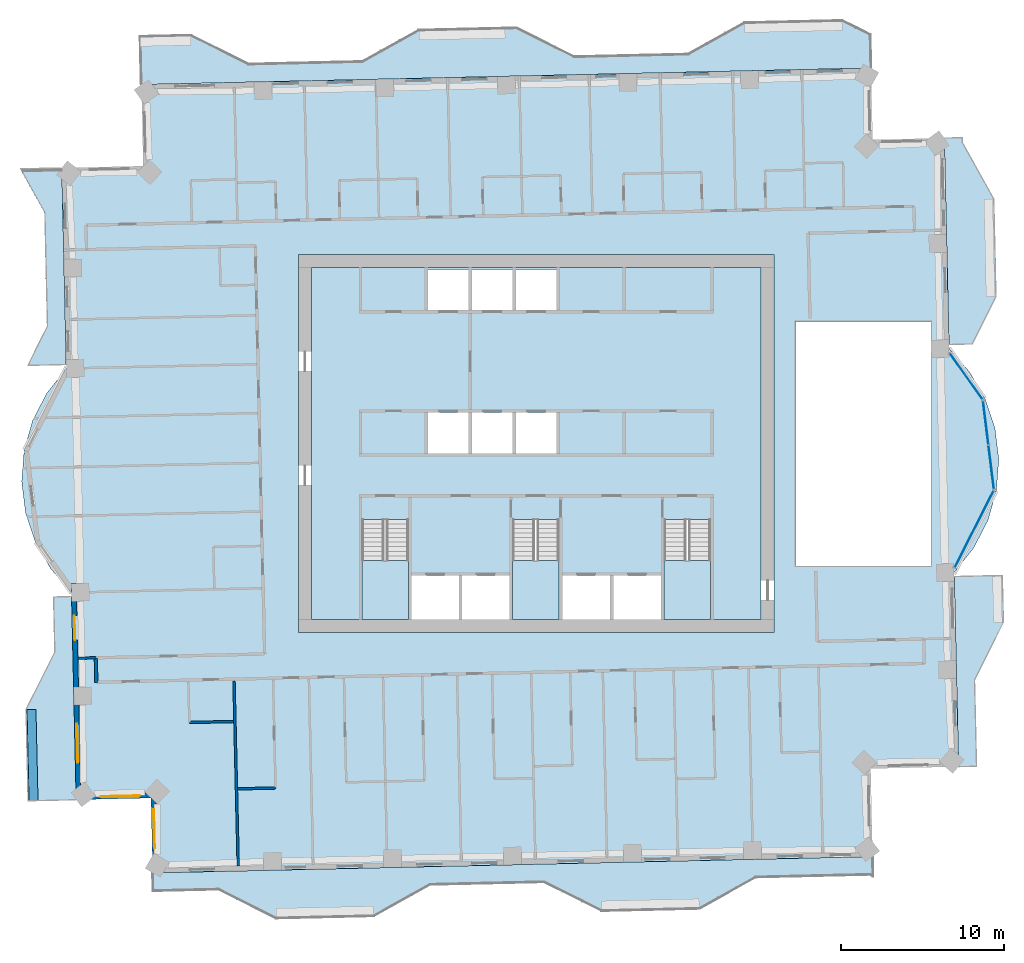
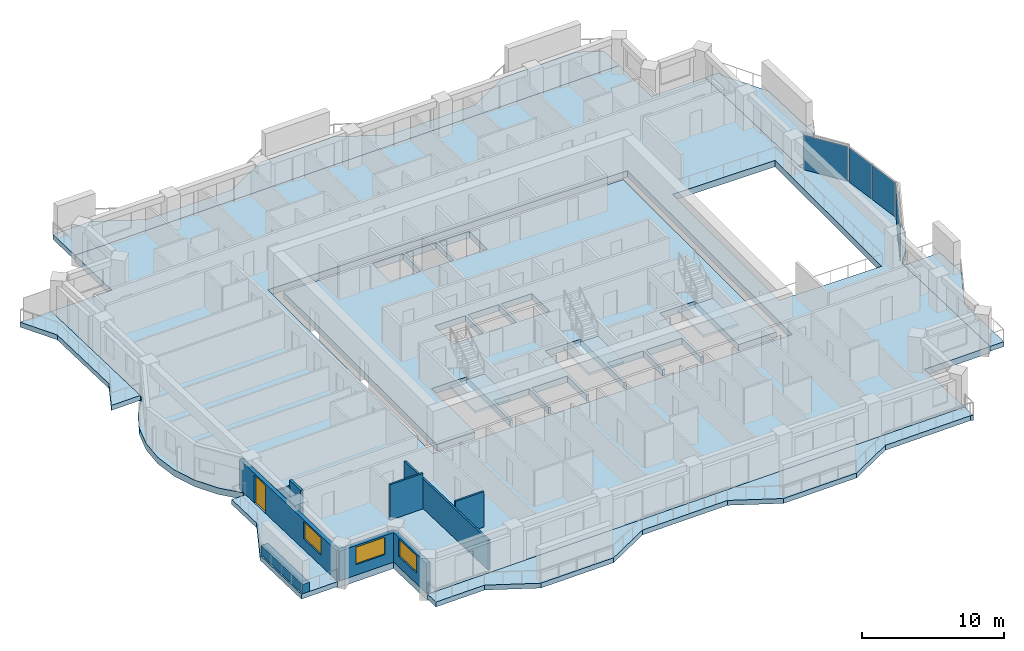
# One storey, part 5 of 16: 11 slabs, 9 walls, 4 plates, 3 windows, 1 door, 4 openings, 6 elements without a shape of their own.
"""IFC4 building model written with IfcOpenShell, lengths in metres."""

from ifc_helpers import new_model, si_unit, direction, frame, frame_2d, origin, origin_2d, place, context, subcontext, project, spatial, polyline, rectangle, outline, extrude, material, layer, layer_set, type_object, element, fill, aggregate, save


model = new_model("IFC4")

# Units and contexts
model_context = context("Model", 3, precision=1e-05, world=origin(), true_north=direction((0.0, 1.0)))
body_context = subcontext(model_context, "Body", "Model", "MODEL_VIEW")
ifc_project = project(units=[si_unit("LENGTHUNIT", "METRE"), si_unit("AREAUNIT", "SQUARE_METRE"), si_unit("VOLUMEUNIT", "CUBIC_METRE"), si_unit("PLANEANGLEUNIT", "RADIAN"), si_unit("MASSUNIT", "GRAM", prefix="KILO")], contexts=[model_context])

# Site, building, storey
site_placement = place(None, origin())
site = spatial("IfcSite", under=ifc_project, at=site_placement, CompositionType="ELEMENT")
building_placement = place(site_placement, origin())
building = spatial("IfcBuilding", under=site, at=building_placement, Name="Mangrove Gate Tower", CompositionType="ELEMENT")
storey_placement = place(building_placement, frame((0.0, 0.0, 231.10009765625)))
storey = spatial("IfcBuildingStorey", under=building, at=storey_placement, Name="L58", CompositionType="ELEMENT", Elevation=231.10009765625)

# Curtain wall, plate
ifc_material_1 = material(Name="Aluminium and glass curtain wall", Category="aluminium")
curtain_wall_type = type_object("IfcCurtainWallType", Name="Atrium garden-court glazing wall", PredefinedType="NOTDEFINED", material=ifc_material_1)
curtain_wall_1_placement = place(storey_placement, origin())
curtain_wall_1 = element("IfcCurtainWall", 1, at=curtain_wall_1_placement, inside=storey, type_object=curtain_wall_type, Name="Atrium garden-court glazing E1f1", PredefinedType="NOTDEFINED")
ifc_material_2 = material(Name="Laminated low-e glass", Category="glass")
ifc_layer_1 = layer(ifc_material_2, 0.031982421875)
ifc_layer_set_1 = layer_set([ifc_layer_1], Name="Atrium garden-court glazing panel 32")
plate_type = type_object("IfcPlateType", Name="Atrium garden-court glazing panel 32", PredefinedType="CURTAIN_PANEL", material=ifc_layer_set_1)
plate_1_placement = place(storey_placement, frame((26.87890625, -5.256591796875, 0.0), z_axis=(0.0, 0.0, 1.0), x_axis=(0.452597795636, 0.891714772439, 0.0)))
plate_1 = element("IfcPlate", 2, at=plate_1_placement, type_object=plate_type, Name="CWA panel 1.1", PredefinedType="CURTAIN_PANEL", context=body_context, shape_type="SweptSolid", body=[
    extrude(rectangle(XDim=5.258056640625, YDim=0.031982421875, at=origin_2d()), origin(), (0.0, 0.0, 1.0), 2.97998046875),
])
aggregate(curtain_wall_1, [plate_1])

# Curtain wall, plates
curtain_wall_2_placement = place(storey_placement, origin())
curtain_wall_2 = element("IfcCurtainWall", 3, at=curtain_wall_2_placement, inside=storey, type_object=curtain_wall_type, Name="Atrium garden-court glazing E1f2", PredefinedType="NOTDEFINED")
plate_2_placement = place(storey_placement, frame((27.92822265625, -1.449462890625, 0.0), z_axis=(0.0, 0.0, 1.0), x_axis=(-0.122172285885, 0.992508908051, 0.0)))
plate_2 = element("IfcPlate", 4, at=plate_2_placement, type_object=plate_type, Name="CWA panel 1.1", PredefinedType="CURTAIN_PANEL", context=body_context, shape_type="SweptSolid", body=[
    extrude(rectangle(XDim=2.681640625, YDim=0.031982421875, at=origin_2d()), origin(), (0.0, 0.0, 1.0), 2.97998046875),
])
plate_3_placement = place(storey_placement, frame((27.592041015625, 1.281494140625, 0.0), z_axis=(0.0, 0.0, 1.0), x_axis=(-0.122172285885, 0.992508908051, 0.0)))
plate_3 = element("IfcPlate", 5, at=plate_3_placement, type_object=plate_type, Name="CWA panel 2.1", PredefinedType="CURTAIN_PANEL", context=body_context, shape_type="SweptSolid", body=[
    extrude(rectangle(XDim=2.681640625, YDim=0.031982421875, at=origin_2d()), origin(), (0.0, 0.0, 1.0), 2.97998046875),
])
aggregate(curtain_wall_2, [plate_2, plate_3])

# Curtain wall, plate
curtain_wall_3_placement = place(storey_placement, origin())
curtain_wall_3 = element("IfcCurtainWall", 6, at=curtain_wall_3_placement, inside=storey, type_object=curtain_wall_type, Name="Atrium garden-court glazing E1f3", PredefinedType="NOTDEFINED")
plate_4_placement = place(storey_placement, frame((26.38818359375, 4.1376953125, 0.0), z_axis=(0.0, 0.0, 1.0), x_axis=(-0.578120908245, 0.815951110944, 0.0)))
plate_4 = element("IfcPlate", 7, at=plate_4_placement, type_object=plate_type, Name="CWA panel 1.1", PredefinedType="CURTAIN_PANEL", context=body_context, shape_type="SweptSolid", body=[
    extrude(rectangle(XDim=3.4287109375, YDim=0.031982421875, at=origin_2d()), origin(), (0.0, 0.0, 1.0), 2.97998046875),
])
aggregate(curtain_wall_3, [plate_4])

# Slabs
ifc_material_3 = material(Name="Porcelain tile")
ifc_layer_2 = layer(ifc_material_3, 0.02001953125, Name="Tile finish")
ifc_material_4 = material(Name="Cement sand screed")
ifc_layer_3 = layer(ifc_material_4, 0.0400390625, Name="Screed laid to falls")
ifc_material_5 = material(Name="Bituminous waterproofing membrane")
ifc_layer_4 = layer(ifc_material_5, 0.00390625, Name="Waterproofing")
ifc_material_6 = material(Name="Concrete C40/50", Category="concrete")
ifc_layer_5 = layer(ifc_material_6, 0.340087890625, Name="Balcony structural slab")
ifc_material_7 = material(Name="Limestone", Category="masonry")
ifc_layer_6 = layer(ifc_material_7, 0.01611328125, Name="Soffit lining")
ifc_layer_set_2 = layer_set([ifc_layer_2, ifc_layer_3, ifc_layer_4, ifc_layer_5, ifc_layer_6], Name="Balcony slab 420 C40/50")
slab_type_1 = type_object("IfcSlabType", Name="Balcony slab 420 C40/50", PredefinedType="FLOOR", material=ifc_layer_set_2)
slab_1_placement = place(storey_placement, frame((0.0, 0.0, -0.420166015625)))
element("IfcSlab", 8, at=slab_1_placement, inside=storey, type_object=slab_type_1, Name="BALCONY L58 E0", PredefinedType="FLOOR", context=body_context, shape_type="SweptSolid", body=[
    extrude(outline(polyline([(27.06298828125, -19.803955078125), (26.943115234375, -14.506103515625), (28.712890625, -10.965087890625), (28.64794921875, -8.091064453125), (25.658935546875, -8.158935546875), (25.72412109375, -11.032958984375), (25.802978515625, -14.531982421875), (25.924072265625, -19.830078125), (27.06298828125, -19.803955078125)])), origin(), (0.0, 0.0, 1.0), 0.420166015625),
])
slab_2_placement = place(storey_placement, frame((0.0, 0.0, -0.420166015625)))
element("IfcSlab", 9, at=slab_2_placement, inside=storey, type_object=slab_type_1, Name="BALCONY L58 E1", PredefinedType="FLOOR", context=body_context, shape_type="SweptSolid", body=[
    extrude(outline(polyline([(26.805908203125, 6.1220703125), (28.259033203125, 9.030029296875), (28.123046875, 15.029052734375), (26.194091796875, 18.486083984375), (26.18798828125, 18.785888671875), (25.048095703125, 18.760009765625), (25.054931640625, 18.4599609375), (25.134033203125, 14.9609375), (25.27001953125, 8.9619140625), (25.3349609375, 6.087890625), (26.805908203125, 6.1220703125)])), origin(), (0.0, 0.0, 1.0), 0.420166015625),
])
slab_3_placement = place(storey_placement, frame((0.0, 0.0, -0.420166015625)))
element("IfcSlab", 10, at=slab_3_placement, inside=storey, type_object=slab_type_1, Name="BALCONY L58 N0", PredefinedType="FLOOR", context=body_context, shape_type="SweptSolid", body=[
    extrude(outline(polyline([(20.501953125, 25.14794921875), (18.778076171875, 26.009033203125), (12.779052734375, 25.873046875), (9.322021484375, 23.944091796875), (2.323974609375, 23.785888671875), (-1.217041015625, 25.555908203125), (-7.216064453125, 25.419921875), (-10.673095703125, 23.490966796875), (-17.6708984375, 23.3330078125), (-21.2119140625, 25.10205078125), (-24.31494140625, 25.031982421875), (-24.2470703125, 22.0419921875), (-7.14794921875, 22.429931640625), (-1.84912109375, 22.551025390625), (-1.14892578125, 22.56591796875), (20.549072265625, 23.05908203125), (20.501953125, 25.14794921875)])), origin(), (0.0, 0.0, 1.0), 0.420166015625),
])
slab_4_placement = place(storey_placement, frame((0.0, 0.0, -0.420166015625)))
element("IfcSlab", 11, at=slab_4_placement, inside=storey, type_object=slab_type_1, Name="BALCONY L58 W0", PredefinedType="FLOOR", context=body_context, shape_type="SweptSolid", body=[
    extrude(outline(polyline([(-31.698974609375, 16.8720703125), (-30.2109375, 14.205078125), (-30.052001953125, 7.20703125), (-31.2529296875, 4.803955078125), (-28.85888671875, 4.85888671875), (-28.9130859375, 7.23291015625), (-29.071044921875, 14.23095703125), (-29.133056640625, 16.929931640625), (-31.698974609375, 16.8720703125)])), origin(), (0.0, 0.0, 1.0), 0.420166015625),
])
slab_5_placement = place(storey_placement, frame((0.0, 0.0, -0.420166015625)))
element("IfcSlab", 12, at=slab_5_placement, inside=storey, type_object=slab_type_1, Name="BALCONY L58 W1", PredefinedType="FLOOR", context=body_context, shape_type="SweptSolid", body=[
    extrude(outline(polyline([(-29.675048828125, -9.4140625), (-29.59912109375, -12.7880859375), (-31.368896484375, -16.3291015625), (-31.241943359375, -21.927978515625), (-28.251953125, -21.860107421875), (-28.37890625, -16.260986328125), (-28.458984375, -12.761962890625), (-28.534912109375, -9.387939453125), (-29.675048828125, -9.4140625)])), origin(), (0.0, 0.0, 1.0), 0.420166015625),
])
slab_6_placement = place(storey_placement, frame((0.0, 0.0, -0.420166015625)))
element("IfcSlab", 13, at=slab_6_placement, inside=storey, type_object=slab_type_1, Name="BALCONY L58 S0", PredefinedType="FLOOR", context=body_context, shape_type="SweptSolid", body=[
    extrude(outline(polyline([(-23.52294921875, -27.493896484375), (-19.52001953125, -27.403076171875), (-15.97900390625, -29.173095703125), (-9.98095703125, -29.037109375), (-6.52392578125, -27.10791015625), (-1.425048828125, -26.992919921875), (0.47509765625, -26.949951171875), (4.01611328125, -28.719970703125), (10.013916015625, -28.5830078125), (13.470947265625, -26.655029296875), (20.468994140625, -26.4970703125), (20.676025390625, -26.59912109375), (20.64697265625, -25.35107421875), (-6.550048828125, -25.968994140625), (-23.549072265625, -26.35400390625), (-23.52294921875, -27.493896484375)])), origin(), (0.0, 0.0, 1.0), 0.420166015625),
])
ifc_material_8 = material(Name="Concrete C40/50", Category="concrete")
ifc_layer_7 = layer(ifc_material_8, 0.550048828125)
ifc_layer_set_3 = layer_set([ifc_layer_7], Name="Core floor slab 550 C40/50")
slab_type_2 = type_object("IfcSlabType", Name="Core floor slab 550 C40/50", PredefinedType="FLOOR", material=ifc_layer_set_3)
slab_7_placement = place(storey_placement, frame((0.0, 0.0, -0.550048828125)))
element("IfcSlab", 14, at=slab_7_placement, inside=storey, type_object=slab_type_2, Name="SLAB-L58-CORE-1", PredefinedType="FLOOR", context=body_context, shape_type="SweptSolid", body=[
    extrude(outline(polyline([(-13.800048828125, -10.800048828125), (-13.800048828125, 10.800048828125), (13.800048828125, 10.800048828125), (13.800048828125, -10.800048828125), (10.699951171875, -10.800048828125), (10.699951171875, -4.653076171875), (7.85009765625, -4.653076171875), (7.85009765625, -10.800048828125), (7.64990234375, -10.800048828125), (7.64990234375, -8.10009765625), (4.72509765625, -8.10009765625), (4.72509765625, -10.800048828125), (4.52490234375, -10.800048828125), (4.52490234375, -8.10009765625), (1.60009765625, -8.10009765625), (1.60009765625, -10.800048828125), (1.39990234375, -10.800048828125), (1.39990234375, -4.653076171875), (-1.449951171875, -4.653076171875), (-1.449951171875, -10.800048828125), (-1.64990234375, -10.800048828125), (-1.64990234375, -8.10009765625), (-4.550048828125, -8.10009765625), (-4.550048828125, -10.800048828125), (-4.75, -10.800048828125), (-4.75, -8.10009765625), (-7.64990234375, -8.10009765625), (-7.64990234375, -10.800048828125), (-7.85009765625, -10.800048828125), (-7.85009765625, -4.653076171875), (-10.699951171875, -4.653076171875), (-10.699951171875, -10.800048828125), (-13.800048828125, -10.800048828125)]), holes=[polyline([(-4.14990234375, 1.89990234375), (-6.64990234375, 1.89990234375), (-6.64990234375, -0.60009765625), (-4.14990234375, -0.60009765625), (-4.14990234375, 1.89990234375)]), polyline([(-1.449951171875, -0.60009765625), (-1.449951171875, 1.89990234375), (-3.949951171875, 1.89990234375), (-3.949951171875, -0.60009765625), (-1.449951171875, -0.60009765625)]), polyline([(-4.14990234375, 8.199951171875), (-4.14990234375, 10.699951171875), (-6.64990234375, 10.699951171875), (-6.64990234375, 8.199951171875), (-4.14990234375, 8.199951171875)]), polyline([(-1.449951171875, 10.699951171875), (-3.949951171875, 10.699951171875), (-3.949951171875, 8.199951171875), (-1.449951171875, 8.199951171875), (-1.449951171875, 10.699951171875)]), polyline([(1.25, -0.60009765625), (1.25, 1.89990234375), (-1.25, 1.89990234375), (-1.25, -0.60009765625), (1.25, -0.60009765625)]), polyline([(1.25, 8.199951171875), (1.25, 10.699951171875), (-1.25, 10.699951171875), (-1.25, 8.199951171875), (1.25, 8.199951171875)])]), origin(), (0.0, 0.0, 1.0), 0.550048828125),
])

# Stair, slab
ifc_material_9 = material(Name="Concrete C40/50", Category="concrete")
stair_type = type_object("IfcStairType", Name="Core stair 1350", PredefinedType="HALF_TURN_STAIR", material=ifc_material_9)
stair_1_placement = place(storey_placement, origin())
stair_1 = element("IfcStair", 15, at=stair_1_placement, inside=storey, type_object=stair_type, Name="L58 Stair 1", PredefinedType="HALF_TURN_STAIR")
ifc_material_10 = material(Name="Concrete C40/50", Category="concrete")
ifc_layer_8 = layer(ifc_material_10, 0.199951171875)
ifc_layer_set_4 = layer_set([ifc_layer_8], Name="Core stair landing 200")
slab_type_3 = type_object("IfcSlabType", Name="Core stair landing 200", PredefinedType="LANDING", material=ifc_layer_set_4)
slab_8_placement = place(storey_placement, frame((0.0, 0.0, 1.599853515625)))
slab_8 = element("IfcSlab", 16, at=slab_8_placement, type_object=slab_type_3, Name="ST1 landing 1", PredefinedType="LANDING", context=body_context, shape_type="SweptSolid", body=[
    extrude(outline(polyline([(-10.699951171875, -7.169921875), (-10.699951171875, -10.800048828125), (-7.85009765625, -10.800048828125), (-7.85009765625, -7.169921875), (-10.699951171875, -7.169921875)])), origin(), (0.0, 0.0, 1.0), 0.199951171875),
])
aggregate(stair_1, [slab_8])

stair_2_placement = place(storey_placement, origin())
stair_2 = element("IfcStair", 17, at=stair_2_placement, inside=storey, type_object=stair_type, Name="L58 Stair 2", PredefinedType="HALF_TURN_STAIR")
slab_9_placement = place(storey_placement, frame((0.0, 0.0, 1.599853515625)))
slab_9 = element("IfcSlab", 18, at=slab_9_placement, type_object=slab_type_3, Name="ST2 landing 1", PredefinedType="LANDING", context=body_context, shape_type="SweptSolid", body=[
    extrude(outline(polyline([(-1.449951171875, -7.169921875), (-1.449951171875, -10.800048828125), (1.39990234375, -10.800048828125), (1.39990234375, -7.169921875), (-1.449951171875, -7.169921875)])), origin(), (0.0, 0.0, 1.0), 0.199951171875),
])
aggregate(stair_2, [slab_9])

stair_3_placement = place(storey_placement, origin())
stair_3 = element("IfcStair", 19, at=stair_3_placement, inside=storey, type_object=stair_type, Name="L58 Stair 3", PredefinedType="HALF_TURN_STAIR")
slab_10_placement = place(storey_placement, frame((0.0, 0.0, 1.599853515625)))
slab_10 = element("IfcSlab", 20, at=slab_10_placement, type_object=slab_type_3, Name="ST3 landing 1", PredefinedType="LANDING", context=body_context, shape_type="SweptSolid", body=[
    extrude(outline(polyline([(7.85009765625, -7.169921875), (7.85009765625, -10.800048828125), (10.699951171875, -10.800048828125), (10.699951171875, -7.169921875), (7.85009765625, -7.169921875)])), origin(), (0.0, 0.0, 1.0), 0.199951171875),
])
aggregate(stair_3, [slab_10])

# Slab
ifc_material_11 = material(Name="Concrete C40/50", Category="concrete")
ifc_layer_9 = layer(ifc_material_11, 0.550048828125)
ifc_layer_set_5 = layer_set([ifc_layer_9], Name="Floor slab 550 C40/50")
slab_type_4 = type_object("IfcSlabType", Name="Floor slab 550 C40/50", PredefinedType="FLOOR", material=ifc_layer_set_5)
slab_11_placement = place(storey_placement, frame((0.0, 0.0, -0.550048828125)))
element("IfcSlab", 21, at=slab_11_placement, inside=storey, type_object=slab_type_4, Name="Floor slab L58", PredefinedType="FLOOR", context=body_context, shape_type="SweptSolid", body=[
    extrude(outline(polyline([(-23.549072265625, -26.354248046875), (20.6474609375, -25.351318359375), (20.52490234375, -19.95263671875), (25.923583984375, -19.830322265625), (25.653076171875, -7.90869140625), (26.849609375, -6.416259765625), (27.7265625, -4.71630859375), (28.2490234375, -2.87646484375), (28.396240234375, -0.96923828125), (28.16259765625, 0.92919921875), (27.55712890625, 2.74365234375), (26.60400390625, 4.40185546875), (25.341064453125, 5.83837890625), (25.0478515625, 18.759765625), (20.64892578125, 18.659912109375), (20.549072265625, 23.058837890625), (-24.247314453125, 22.042236328125), (-24.1337890625, 17.04345703125), (-29.132568359375, 16.93017578125), (-28.85302734375, 4.608642578125), (-30.049560546875, 3.1162109375), (-30.926513671875, 1.41650390625), (-31.448974609375, -0.423583984375), (-31.59619140625, -2.330810546875), (-31.362548828125, -4.229248046875), (-30.757080078125, -6.043701171875), (-29.803955078125, -7.701904296875), (-28.541015625, -9.138427734375), (-28.25244140625, -21.85986328125), (-23.653564453125, -21.755615234375), (-23.549072265625, -26.354248046875)]), holes=[polyline([(15.89990234375, 7.5), (24.22705078125, 7.5), (24.22705078125, -7.5), (15.89990234375, -7.5), (15.89990234375, 7.5)]), polyline([(-14.60009765625, -11.60009765625), (-14.60009765625, 11.60009765625), (14.60009765625, 11.60009765625), (14.60009765625, -11.60009765625), (-14.60009765625, -11.60009765625)])]), origin(), (0.0, 0.0, 1.0), 0.550048828125),
])

# Wall
ifc_material_12 = material(Name="Gypsum board on steel stud, EI 60", Category="steel")
ifc_layer_10 = layer(ifc_material_12, 0.199951171875)
ifc_layer_set_6 = layer_set([ifc_layer_10], Name="Corridor wall EI 60")
wall_type_1 = type_object("IfcWallType", Name="Corridor wall EI 60", PredefinedType="PARTITIONING", material=ifc_layer_set_6)
wall_1_placement = place(storey_placement, frame((-27.011962890625, -14.654052734375, 0.0), z_axis=(0.0, 0.0, 1.0), x_axis=(-0.022617910375, 0.999744182344, 0.0)))
element("IfcWall", 22, at=wall_1_placement, inside=storey, type_object=wall_type_1, Name="WALL-L58-027", PredefinedType="PARTITIONING", context=body_context, shape_type="SweptSolid", body=[
    extrude(rectangle(XDim=1.50048828125, YDim=0.199951171875, at=frame_2d((0.750244140625, 0.0))), origin(), (0.0, 0.0, 1.0), 3.0498046875),
])

# Wall, openings, door, window
ifc_layer_11 = layer(ifc_material_7, 0.0400390625, Name="Limestone cladding")
ifc_material_13 = material(Name="Ventilated air gap")
ifc_layer_12 = layer(ifc_material_13, 0.0400390625, Name="Ventilated cavity")
ifc_material_14 = material(Name="Mineral wool insulation")
ifc_layer_13 = layer(ifc_material_14, 0.06005859375, Name="Insulation")
ifc_material_15 = material(Name="Breather membrane")
ifc_layer_14 = layer(ifc_material_15, 0.001953125, Name="Breather membrane")
ifc_material_16 = material(Name="Concrete C20/25 blockwork", Category="masonry")
ifc_layer_15 = layer(ifc_material_16, 0.14990234375, Name="Blockwork backing wall")
ifc_material_17 = material(Name="Gypsum plaster")
ifc_layer_16 = layer(ifc_material_17, 0.008056640625, Name="Internal plaster")
ifc_layer_set_7 = layer_set([ifc_layer_11, ifc_layer_12, ifc_layer_13, ifc_layer_14, ifc_layer_15, ifc_layer_16], Name="External wall 300 limestone cladding")
wall_type_2 = type_object("IfcWallType", Name="External wall 300 limestone cladding", PredefinedType="SOLIDWALL", material=ifc_layer_set_7)
wall_2_placement = place(storey_placement, frame((-28.404052734375, -8.5849609375, 0.0), z_axis=(0.0, 0.0, 1.0), x_axis=(0.022711264838, -0.99974206596, 0.0)))
wall_2 = element("IfcWall", 23, at=wall_2_placement, inside=storey, type_object=wall_type_2, Name="WALL-L58-W10s1", PredefinedType="SOLIDWALL", context=body_context, shape_type="SweptSolid", body=[
    extrude(rectangle(XDim=13.12548828125, YDim=0.300048828125, at=frame_2d((6.562744140625, 0.0))), origin(), (0.0, 0.0, 1.0), 2.5498046875),
])
opening_1_placement = place(wall_2_placement, frame((1.97509765625, 0.0, 0.0)))
opening_1 = element("IfcOpeningElement", 24, at=opening_1_placement, cuts=wall_2, Name="Opening BD1", PredefinedType="OPENING", context=body_context, shape_type="SweptSolid", body=[
    extrude(rectangle(XDim=1.5, YDim=2.39990234375, at=frame_2d((0.75, 1.199951171875))), frame((0.0, 0.159912109375, 0.0), z_axis=(0.0, -1.0, 0.0), x_axis=(1.0, 0.0, 0.0)), (0.0, 0.0, 1.0), 0.320068359375),
])
opening_2_placement = place(wall_2_placement, frame((8.6240234375, 0.0, 0.89990234375)))
opening_2 = element("IfcOpeningElement", 25, at=opening_2_placement, cuts=wall_2, Name="Opening W2", PredefinedType="OPENING", context=body_context, shape_type="SweptSolid", body=[
    extrude(rectangle(XDim=2.39990234375, YDim=1.5, at=frame_2d((1.199951171875, 0.75))), frame((0.0, 0.159912109375, 0.0), z_axis=(0.0, -1.0, 0.0), x_axis=(1.0, 0.0, 0.0)), (0.0, 0.0, 1.0), 0.320068359375),
])
ifc_material_18 = material(Name="Aluminium frame with laminated clear glass", Category="aluminium")
door_type = type_object("IfcDoorType", Name="Balcony sliding door 1500x2400", OperationType="SLIDING_TO_LEFT", PredefinedType="DOOR", material=ifc_material_18)
door_placement = place(opening_1_placement, origin())
door = element("IfcDoor", 26, at=door_placement, inside=storey, type_object=door_type, Name="DOOR-L58-W10-1", OperationType="SLIDING_TO_LEFT", OverallHeight=2.39990234375, OverallWidth=1.5, PredefinedType="DOOR", context=body_context, shape_type="SweptSolid", body=[
    extrude(rectangle(XDim=1.5, YDim=2.39990234375, at=frame_2d((0.75, 1.199951171875))), frame((0.0, 0.02490234375, 0.0), z_axis=(0.0, -1.0, 0.0), x_axis=(1.0, 0.0, 0.0)), (0.0, 0.0, 1.0), 0.050048828125),
])
fill(opening_1, door)
ifc_material_19 = material(Name="Aluminium frame with double-glazed low-e glass", Category="aluminium")
window_type = type_object("IfcWindowType", Name="Corner room window 2400x1500", PartitioningType="DOUBLE_PANEL_VERTICAL", PredefinedType="WINDOW", material=ifc_material_19)
window_1_placement = place(opening_2_placement, origin())
window_1 = element("IfcWindow", 27, at=window_1_placement, inside=storey, type_object=window_type, Name="WIN-L58-W10-2", OverallHeight=1.5, OverallWidth=2.39990234375, PartitioningType="DOUBLE_PANEL_VERTICAL", PredefinedType="WINDOW", context=body_context, shape_type="SweptSolid", body=[
    extrude(rectangle(XDim=2.39990234375, YDim=1.5, at=frame_2d((1.199951171875, 0.75))), frame((0.0, 0.030029296875, 0.0), z_axis=(0.0, -1.0, 0.0), x_axis=(1.0, 0.0, 0.0)), (0.0, 0.0, 1.0), 0.06005859375),
])
fill(opening_2, window_1)

# Wall, opening, window
wall_3_placement = place(storey_placement, frame((-28.10595703125, -21.70703125, 0.0), z_axis=(0.0, 0.0, 1.0), x_axis=(0.999739556364, 0.022821468877, 0.0)))
wall_3 = element("IfcWall", 28, at=wall_3_placement, inside=storey, type_object=wall_type_2, Name="WALL-L58-S11", PredefinedType="SOLIDWALL", context=body_context, shape_type="SweptSolid", body=[
    extrude(rectangle(XDim=4.60009765625, YDim=0.300048828125, at=frame_2d((2.300048828125, 0.0))), origin(), (0.0, 0.0, 1.0), 2.5498046875),
])
opening_3_placement = place(wall_3_placement, frame((1.362060546875, 0.0, 0.89990234375)))
opening_3 = element("IfcOpeningElement", 29, at=opening_3_placement, cuts=wall_3, Name="Opening W2", PredefinedType="OPENING", context=body_context, shape_type="SweptSolid", body=[
    extrude(rectangle(XDim=2.39990234375, YDim=1.5, at=frame_2d((1.199951171875, 0.75))), frame((0.0, 0.159912109375, 0.0), z_axis=(0.0, -1.0, 0.0), x_axis=(1.0, 0.0, 0.0)), (0.0, 0.0, 1.0), 0.320068359375),
])
window_2_placement = place(opening_3_placement, origin())
window_2 = element("IfcWindow", 30, at=window_2_placement, inside=storey, type_object=window_type, Name="WIN-L58-S11-1", OverallHeight=1.5, OverallWidth=2.39990234375, PartitioningType="DOUBLE_PANEL_VERTICAL", PredefinedType="WINDOW", context=body_context, shape_type="SweptSolid", body=[
    extrude(rectangle(XDim=2.39990234375, YDim=1.5, at=frame_2d((1.199951171875, 0.75))), frame((0.0, 0.030029296875, 0.0), z_axis=(0.0, -1.0, 0.0), x_axis=(1.0, 0.0, 0.0)), (0.0, 0.0, 1.0), 0.06005859375),
])
fill(opening_3, window_2)

wall_4_placement = place(storey_placement, frame((-23.507080078125, -21.60205078125, 0.0), z_axis=(0.0, 0.0, 1.0), x_axis=(0.022609285172, -0.999744377441, 0.0)))
wall_4 = element("IfcWall", 31, at=wall_4_placement, inside=storey, type_object=wall_type_2, Name="WALL-L58-W12", PredefinedType="SOLIDWALL", context=body_context, shape_type="SweptSolid", body=[
    extrude(rectangle(XDim=4.60009765625, YDim=0.300048828125, at=frame_2d((2.300048828125, 0.0))), origin(), (0.0, 0.0, 1.0), 2.5498046875),
])
opening_4_placement = place(wall_4_placement, frame((0.83203125, 0.0, 0.89990234375)))
opening_4 = element("IfcOpeningElement", 32, at=opening_4_placement, cuts=wall_4, Name="Opening W2", PredefinedType="OPENING", context=body_context, shape_type="SweptSolid", body=[
    extrude(rectangle(XDim=2.39990234375, YDim=1.5, at=frame_2d((1.199951171875, 0.75))), frame((0.0, 0.159912109375, 0.0), z_axis=(0.0, -1.0, 0.0), x_axis=(1.0, 0.0, 0.0)), (0.0, 0.0, 1.0), 0.320068359375),
])
window_3_placement = place(opening_4_placement, origin())
window_3 = element("IfcWindow", 33, at=window_3_placement, inside=storey, type_object=window_type, Name="WIN-L58-W12-1", OverallHeight=1.5, OverallWidth=2.39990234375, PartitioningType="DOUBLE_PANEL_VERTICAL", PredefinedType="WINDOW", context=body_context, shape_type="SweptSolid", body=[
    extrude(rectangle(XDim=2.39990234375, YDim=1.5, at=frame_2d((1.199951171875, 0.75))), frame((0.0, 0.030029296875, 0.0), z_axis=(0.0, -1.0, 0.0), x_axis=(1.0, 0.0, 0.0)), (0.0, 0.0, 1.0), 0.06005859375),
])
fill(opening_4, window_3)

# Walls
ifc_material_20 = material(Name="Gypsum board on steel stud, EI 60", Category="steel")
ifc_layer_17 = layer(ifc_material_20, 0.14990234375)
ifc_layer_set_8 = layer_set([ifc_layer_17], Name="Party wall 150 EI 60")
wall_type_3 = type_object("IfcWallType", Name="Party wall 150 EI 60", PredefinedType="PARTITIONING", material=ifc_layer_set_8)
wall_5_placement = place(storey_placement, frame((-18.302978515625, -25.93505859375, 0.0), z_axis=(0.0, 0.0, 1.0), x_axis=(-0.022684355347, 0.999742676904, 0.0)))
element("IfcWall", 34, at=wall_5_placement, inside=storey, type_object=wall_type_3, Name="WALL-L58-001", PredefinedType="PARTITIONING", context=body_context, shape_type="SweptSolid", body=[
    extrude(rectangle(XDim=11.3759765625, YDim=0.14990234375, at=frame_2d((5.68798828125, 0.0))), origin(), (0.0, 0.0, 1.0), 2.5498046875),
])
wall_6_placement = place(storey_placement, frame((-18.340087890625, -21.195068359375, 0.0), z_axis=(0.0, 0.0, 1.0), x_axis=(0.99974053329, 0.022778632478, 0.0)))
element("IfcWall", 35, at=wall_6_placement, inside=storey, type_object=wall_type_3, Name="WALL-L58-012", PredefinedType="PARTITIONING", context=body_context, shape_type="SweptSolid", body=[
    extrude(rectangle(XDim=2.32568359375, YDim=0.14990234375, at=frame_2d((1.162841796875, 0.0))), origin(), (0.0, 0.0, 1.0), 3.0498046875),
])
wall_7_placement = place(storey_placement, frame((-21.30810546875, -17.12109375, 0.0), z_axis=(0.0, 0.0, 1.0), x_axis=(0.999741002259, 0.022758040381, 0.0)))
element("IfcWall", 36, at=wall_7_placement, inside=storey, type_object=wall_type_3, Name="WALL-L58-026", PredefinedType="PARTITIONING", context=body_context, shape_type="SweptSolid", body=[
    extrude(rectangle(XDim=2.724853515625, YDim=0.14990234375, at=frame_2d((1.3623046875, 0.0))), origin(), (0.0, 0.0, 1.0), 3.0498046875),
])
wall_8_placement = place(storey_placement, frame((-28.14990234375, -13.175048828125, 0.0), z_axis=(0.0, 0.0, 1.0), x_axis=(0.999740692912, 0.02277162569, 0.0)))
element("IfcWall", 37, at=wall_8_placement, inside=storey, type_object=wall_type_3, Name="WALL-L58-032", PredefinedType="PARTITIONING", context=body_context, shape_type="SweptSolid", body=[
    extrude(rectangle(XDim=1.104248046875, YDim=0.14990234375, at=frame_2d((0.55224609375, 0.0))), origin(), (0.0, 0.0, 1.0), 2.5498046875),
])
ifc_material_21 = material(Name="Concrete C32/40", Category="concrete")
ifc_layer_18 = layer(ifc_material_21, 0.199951171875, Name="Planter trough wall")
ifc_layer_19 = layer(ifc_material_5, 0.0048828125, Name="Waterproofing")
ifc_material_22 = material(Name="Drainage board and gravel")
ifc_layer_20 = layer(ifc_material_22, 0.044921875, Name="Drainage layer")
ifc_material_23 = material(Name="Planting soil")
ifc_layer_21 = layer(ifc_material_23, 0.300048828125, Name="Growing medium")
ifc_layer_set_9 = layer_set([ifc_layer_18, ifc_layer_19, ifc_layer_20, ifc_layer_21], Name="Planter wall 550 C32/40")
wall_type_4 = type_object("IfcWallType", Name="Planter wall 550 C32/40", PredefinedType="USERDEFINED", material=ifc_layer_set_9)
wall_9_placement = place(storey_placement, frame((-30.866943359375, -21.9189453125, 0.0), z_axis=(0.0, 0.0, 1.0), x_axis=(-0.022672873977, 0.999742937352, 0.0)))
element("IfcWall", 38, at=wall_9_placement, inside=storey, type_object=wall_type_4, Name="PLANTER L58 W1.1", ObjectType="PLANTER", PredefinedType="USERDEFINED", context=body_context, shape_type="SweptSolid", body=[
    extrude(rectangle(XDim=5.599365234375, YDim=0.550048828125, at=frame_2d((2.7998046875, 0.0))), origin(), (0.0, 0.0, 1.0), 0.7998046875),
])

save(model, "model.ifc")
